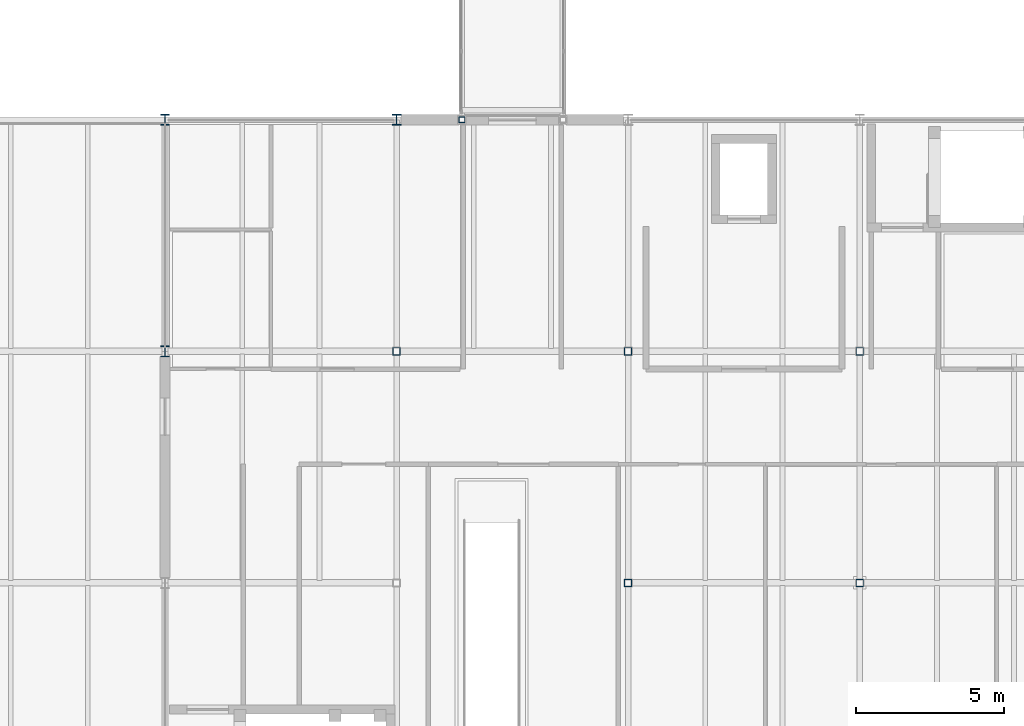
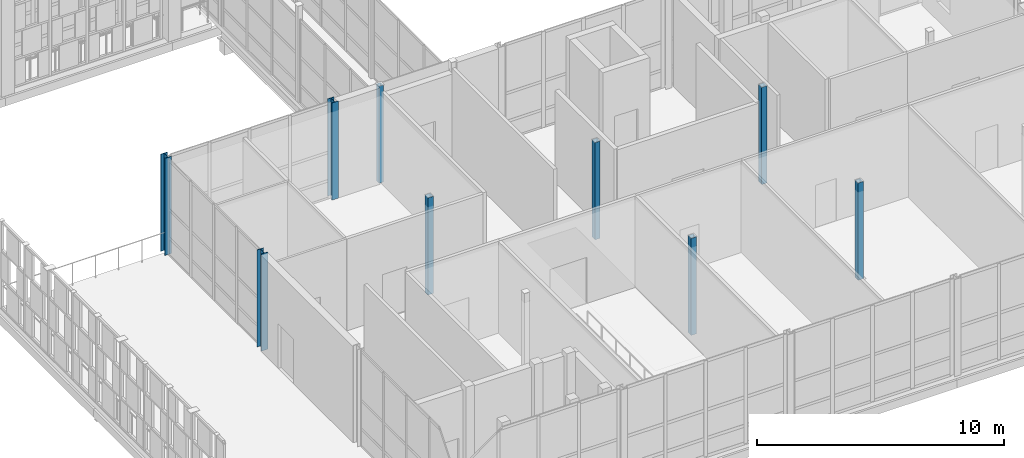
# One storey, part 16 of 138: 9 columns.
"""IFC4 building model written with IfcOpenShell, lengths in metres."""

import ifcopenshell
import ifcopenshell.guid

model = None  # the IFC model being written
_history = None  # IfcOwnerHistory: only IFC2X3 demands one
_inside = {}  # id of a spatial element -> (the spatial element, [elements in it])
_under = {}  # id of a project, library or spatial element -> (it, [spatial elements below it])
_declared = {}  # id of a project -> (the project, [libraries it declares])
_typed = {}  # id of a type object -> (the type object, [elements of that type])
_made_of = {}  # id of a material, layer set ... -> (it, [elements and type objects made of it])


def new_model(schema):
    """Start an empty IFC model of exactly this schema.

    Asked for "IFC4X3", IfcOpenShell would pick the latest addendum, in which some entities
    have other attributes; the version numbers below select the first issue.
    IFC2X3 requires an IfcOwnerHistory on every rooted entity: one is made here for all.
    """
    global model, _history
    if schema == "IFC4X3":
        model = ifcopenshell.file(schema_version=(4, 3, 0, 0))
    else:
        model = ifcopenshell.file(schema=schema)
    _inside.clear()
    _under.clear()
    _declared.clear()
    _typed.clear()
    _made_of.clear()
    _history = None
    if model.schema == "IFC2X3":
        org = make("IfcOrganization", Name="unknown")
        user = make(
            "IfcPersonAndOrganization",
            ThePerson=make("IfcPerson", FamilyName="unknown"),
            TheOrganization=org,
        )
        app = make(
            "IfcApplication",
            ApplicationDeveloper=org,
            Version="unknown",
            ApplicationFullName="unknown",
            ApplicationIdentifier="unknown",
        )
        _history = make(
            "IfcOwnerHistory",
            OwningUser=user,
            OwningApplication=app,
            ChangeAction="ADDED",
            CreationDate=0,
        )
    return model


def make(cls, **values):
    """One entity of the class cls with the attributes given. An attribute that is None is left unset."""
    return model.create_entity(
        cls, **{name: value for name, value in values.items() if value is not None}
    )


def rooted(cls, **values):
    """An entity with a GlobalId (a new one), such as an element, a storey or a relation."""
    return make(cls, GlobalId=ifcopenshell.guid.new(), OwnerHistory=_history, **values)


def si_unit(unit_type, name, prefix=None):
    """IfcSIUnit, for example si_unit("LENGTHUNIT", "METRE", prefix="MILLI")."""
    return make("IfcSIUnit", UnitType=unit_type, Prefix=prefix, Name=name)


def assignment(units):
    """IfcUnitAssignment: the units of a project."""
    return None if units is None else make("IfcUnitAssignment", Units=units)


def point(xyz):
    """IfcCartesianPoint."""
    return None if xyz is None else make("IfcCartesianPoint", Coordinates=xyz)


def direction(xyz):
    """IfcDirection."""
    return None if xyz is None else make("IfcDirection", DirectionRatios=xyz)


def frame(location, z_axis=None, x_axis=None):
    """IfcAxis2Placement3D, a coordinate frame: its origin and axes. An axis left out is left unset."""
    return make(
        "IfcAxis2Placement3D",
        Location=point(location),
        Axis=direction(z_axis),
        RefDirection=direction(x_axis),
    )


def frame_2d(location, x_axis=None):
    """IfcAxis2Placement2D, a coordinate frame in the plane: its origin and x axis."""
    return make(
        "IfcAxis2Placement2D", Location=point(location), RefDirection=direction(x_axis)
    )


def origin():
    """The frame at (0, 0, 0) with its axes left unset."""
    return frame((0.0, 0.0, 0.0))


def origin_2d():
    """The frame at (0, 0) in the plane with its x axis left unset."""
    return frame_2d((0.0, 0.0))


def place(relative_to, where):
    """IfcLocalPlacement: puts the frame where relative to a parent placement (None: the world)."""
    return make(
        "IfcLocalPlacement", PlacementRelTo=relative_to, RelativePlacement=where
    )


def context(
    kind, dimensions, precision=None, world=None, true_north=None, identifier=None
):
    """IfcGeometricRepresentationContext, for example the 3D "Model" context."""
    return make(
        "IfcGeometricRepresentationContext",
        ContextIdentifier=identifier,
        ContextType=kind,
        CoordinateSpaceDimension=dimensions,
        Precision=precision,
        WorldCoordinateSystem=world,
        TrueNorth=true_north,
    )


def subcontext(parent, identifier, kind, view, scale=None):
    """IfcGeometricRepresentationSubContext, for example "Body" below "Model"."""
    return make(
        "IfcGeometricRepresentationSubContext",
        ContextIdentifier=identifier,
        ContextType=kind,
        ParentContext=parent,
        TargetScale=scale,
        TargetView=view,
    )


def project(units=None, contexts=None):
    """IfcProject with its units and contexts."""
    return rooted(
        "IfcProject",
        Name="project",
        RepresentationContexts=contexts,
        UnitsInContext=assignment(units),
    )


def spatial(cls, under=None, at=None, **own):
    """A site, building, storey or space (cls), placed at a placement, below another one or the project."""
    s = rooted(cls, ObjectPlacement=at, **own)
    if under is not None:
        _under.setdefault(under.id(), (under, []))[1].append(s)
    return s


def profile(cls, at=None, kind="AREA", **sizes):
    """A parametric profile (cls). Its sizes go by their IFC names, for example OverallWidth=200.0."""
    return make(cls, ProfileType=kind, Position=at, **sizes)


def hollow_rectangle(**sizes):
    """IfcRectangleHollowProfileDef."""
    return profile("IfcRectangleHollowProfileDef", **sizes)


def i_section(**sizes):
    """IfcIShapeProfileDef."""
    return profile("IfcIShapeProfileDef", **sizes)


def extrude(swept, where, along, depth):
    """IfcExtrudedAreaSolid: the profile swept, set in the frame where, extruded along a direction by depth."""
    return make(
        "IfcExtrudedAreaSolid",
        SweptArea=swept,
        Position=where,
        ExtrudedDirection=direction(along),
        Depth=depth,
    )


def shape(context_of_items, identifier, shape_type, items):
    """IfcShapeRepresentation: the items that make up one representation, for example the "Body"."""
    return make(
        "IfcShapeRepresentation",
        ContextOfItems=context_of_items,
        RepresentationIdentifier=identifier,
        RepresentationType=shape_type,
        Items=items,
    )


def material(Name=None, Category=None):
    """IfcMaterial."""
    return make("IfcMaterial", Name=Name, Category=Category)


def material_profile(
    of_material, cross_section, Name=None, Category=None, Priority=None
):
    """IfcMaterialProfile: a cross section and its material."""
    return make(
        "IfcMaterialProfile",
        Name=Name,
        Material=of_material,
        Profile=cross_section,
        Priority=Priority,
        Category=Category,
    )


def profile_set(profiles, Name=None, composite=None):
    """IfcMaterialProfileSet."""
    return make(
        "IfcMaterialProfileSet",
        Name=Name,
        MaterialProfiles=profiles,
        CompositeProfile=composite,
    )


def made_of(thing, what):
    """Note that an element or type object is made of a material, layer set ...; save() writes the relation."""
    if what is not None:
        _made_of.setdefault(what.id(), (what, []))[1].append(thing)
    return thing


def type_object(cls, material=None, **own):
    """A type object (cls), such as IfcWallType, which elements share."""
    return made_of(rooted(cls, **own), material)


def element(
    cls,
    number,
    at=None,
    inside=None,
    cuts=None,
    type_object=None,
    material=None,
    context=None,
    identifier="Body",
    shape_type=None,
    held_by="IfcProductDefinitionShape",
    body=None,
    shapes=None,
    **own,
):
    """One element of the class cls, such as IfcWall. Its Tag is "e" and its number.

    at: its placement. inside: the storey or other place that contains it. cuts: it is an
    opening in that element (IfcRelVoidsElement). A single representation is given by context,
    identifier, shape_type and body (its items); several are given by shapes. held_by: the class
    of the entity that holds the representations. save() writes the other relations.
    """
    e = rooted(cls, Tag="e%d" % number, ObjectPlacement=at, **own)
    if body is not None:
        shapes = [shape(context, identifier, shape_type, body)]
    if shapes is not None:
        e.Representation = make(held_by, Representations=shapes)
    if inside is not None:
        _inside.setdefault(inside.id(), (inside, []))[1].append(e)
    if cuts is not None:
        rooted(
            "IfcRelVoidsElement", RelatingBuildingElement=cuts, RelatedOpeningElement=e
        )
    if type_object is not None:
        _typed.setdefault(type_object.id(), (type_object, []))[1].append(e)
    return made_of(e, material)


def aggregate(whole, parts):
    """IfcRelAggregates: a whole, such as a stair, and the parts it consists of."""
    return rooted("IfcRelAggregates", RelatingObject=whole, RelatedObjects=parts)


def save(model, path):
    """Write the relations noted so far, then the file.

    IfcRelAggregates (storeys below a building ...), IfcRelContainedInSpatialStructure (elements
    in a storey), IfcRelDefinesByType, IfcRelAssociatesMaterial and IfcRelDeclares: one each for
    every whole, place, type object, material and project.
    """
    for whole, parts in _under.values():
        aggregate(whole, parts)
    for where, things in _inside.values():
        rooted(
            "IfcRelContainedInSpatialStructure",
            RelatedElements=things,
            RelatingStructure=where,
        )
    for kind, things in _typed.values():
        rooted("IfcRelDefinesByType", RelatedObjects=things, RelatingType=kind)
    for what, things in _made_of.values():
        rooted("IfcRelAssociatesMaterial", RelatedObjects=things, RelatingMaterial=what)
    for by, libraries in _declared.values():
        rooted("IfcRelDeclares", RelatingContext=by, RelatedDefinitions=libraries)
    model.write(path)


model = new_model("IFC4")

# Units and contexts
model_context = context("Model", 3, precision=1e-05, world=origin(), true_north=direction((0.0, 1.0)))
body_context = subcontext(model_context, "Body", "Model", "MODEL_VIEW")
ifc_project = project(units=[si_unit("LENGTHUNIT", "METRE"), si_unit("AREAUNIT", "SQUARE_METRE"), si_unit("VOLUMEUNIT", "CUBIC_METRE"), si_unit("PLANEANGLEUNIT", "RADIAN"), si_unit("MASSUNIT", "GRAM", prefix="KILO")], contexts=[model_context])

# Site, building, storey
site_placement = place(None, origin())
site = spatial("IfcSite", under=ifc_project, at=site_placement, CompositionType="ELEMENT")
building_placement = place(site_placement, origin())
building = spatial("IfcBuilding", under=site, at=building_placement, Name="Celorna Specialist Clinic", CompositionType="ELEMENT")
storey_placement = place(building_placement, frame((0.0, 0.0, 4.800048828125)))
storey = spatial("IfcBuildingStorey", under=building, at=storey_placement, Name="L01", CompositionType="ELEMENT", Elevation=4.800048828125)

# Columns
ifc_material = material(Name="Steel S355", Category="steel")
ifc_material_profile_1 = material_profile(ifc_material, i_section(OverallWidth=0.300048828125, OverallDepth=0.360107421875, WebThickness=0.012451171875, FlangeThickness=0.0224609375, at=origin_2d()), Name="HE 360 B")
ifc_profile_set_1 = profile_set([ifc_material_profile_1], Name="Steel S355")
column_type_1 = type_object("IfcColumnType", Name="CT-13", PredefinedType="COLUMN", material=ifc_profile_set_1)
for number, where, z_axis, x_axis, name in (
    (1, (132.60009765625, 75.60009765625, 0.0), (0.0, 0.0, 1.0), (1.0, 0.0, 0.0), "Column CT-13 L01 X18/YP"),
    (2, (132.60009765625, 83.39990234375, 0.0), (0.0, 0.0, 1.0), (1.0, 0.0, 0.0), "Column CT-13 L01 X18/YQ"),
    (3, (140.39990234375, 83.39990234375, 0.0), (0.0, 0.0, 1.0), (1.0, 0.0, 0.0), "Column CT-13 L01 X19/YQ"),
):
    element("IfcColumn", number, at=place(storey_placement, frame(where, z_axis=z_axis, x_axis=x_axis)), inside=storey, type_object=column_type_1, Name=name, PredefinedType="COLUMN", context=body_context, shape_type="SweptSolid", body=[
        extrude(i_section(OverallWidth=0.300048828125, OverallDepth=0.360107421875, WebThickness=0.012451171875, FlangeThickness=0.0224609375, at=origin_2d()), origin(), (0.0, 0.0, 1.0), 4.800048828125),
    ])
ifc_material_profile_2 = material_profile(ifc_material, hollow_rectangle(XDim=0.199951171875, YDim=0.199951171875, WallThickness=0.010009765625, at=origin_2d()), Name="SHS 200x200x10")
ifc_profile_set_2 = profile_set([ifc_material_profile_2], Name="Steel S355")
column_type_2 = type_object("IfcColumnType", Name="CT-15", PredefinedType="COLUMN", material=ifc_profile_set_2)
column_placement = place(storey_placement, frame((142.60009765625, 83.39990234375, 0.0), z_axis=(0.0, 0.0, 1.0), x_axis=(1.0, 0.0, 0.0)))
element("IfcColumn", 4, at=column_placement, inside=storey, type_object=column_type_2, Name="Column CT-15 L01 X19/YQ", PredefinedType="COLUMN", context=body_context, shape_type="SweptSolid", body=[
    extrude(hollow_rectangle(XDim=0.199951171875, YDim=0.199951171875, WallThickness=0.010009765625, at=origin_2d()), origin(), (0.0, 0.0, 1.0), 4.800048828125),
])
ifc_material_profile_3 = material_profile(ifc_material, hollow_rectangle(XDim=0.25, YDim=0.25, WallThickness=0.012451171875, at=origin_2d()), Name="SHS 250x250x12.5")
ifc_profile_set_3 = profile_set([ifc_material_profile_3], Name="Steel S355")
column_type_3 = type_object("IfcColumnType", Name="CT-19", PredefinedType="COLUMN", material=ifc_profile_set_3)
for number, where, z_axis, x_axis, name in (
    (5, (140.39990234375, 75.60009765625, 0.0), (0.0, 0.0, 1.0), (1.0, 0.0, 0.0), "Column CT-19 L01 X19/YP"),
    (6, (148.199951171875, 67.800048828125, 0.0), (0.0, 0.0, 1.0), (1.0, 0.0, 0.0), "Column CT-19 L01 X20/YN"),
    (7, (148.199951171875, 75.60009765625, 0.0), (0.0, 0.0, 1.0), (1.0, 0.0, 0.0), "Column CT-19 L01 X20/YP"),
    (8, (156.0, 67.800048828125, 0.0), (0.0, 0.0, 1.0), (1.0, 0.0, 0.0), "Column CT-19 L01 X21/YN"),
    (9, (156.0, 75.60009765625, 0.0), (0.0, 0.0, 1.0), (1.0, 0.0, 0.0), "Column CT-19 L01 X21/YP"),
):
    element("IfcColumn", number, at=place(storey_placement, frame(where, z_axis=z_axis, x_axis=x_axis)), inside=storey, type_object=column_type_3, Name=name, PredefinedType="COLUMN", context=body_context, shape_type="SweptSolid", body=[
        extrude(hollow_rectangle(XDim=0.25, YDim=0.25, WallThickness=0.012451171875, at=origin_2d()), origin(), (0.0, 0.0, 1.0), 4.800048828125),
    ])

save(model, "model.ifc")
